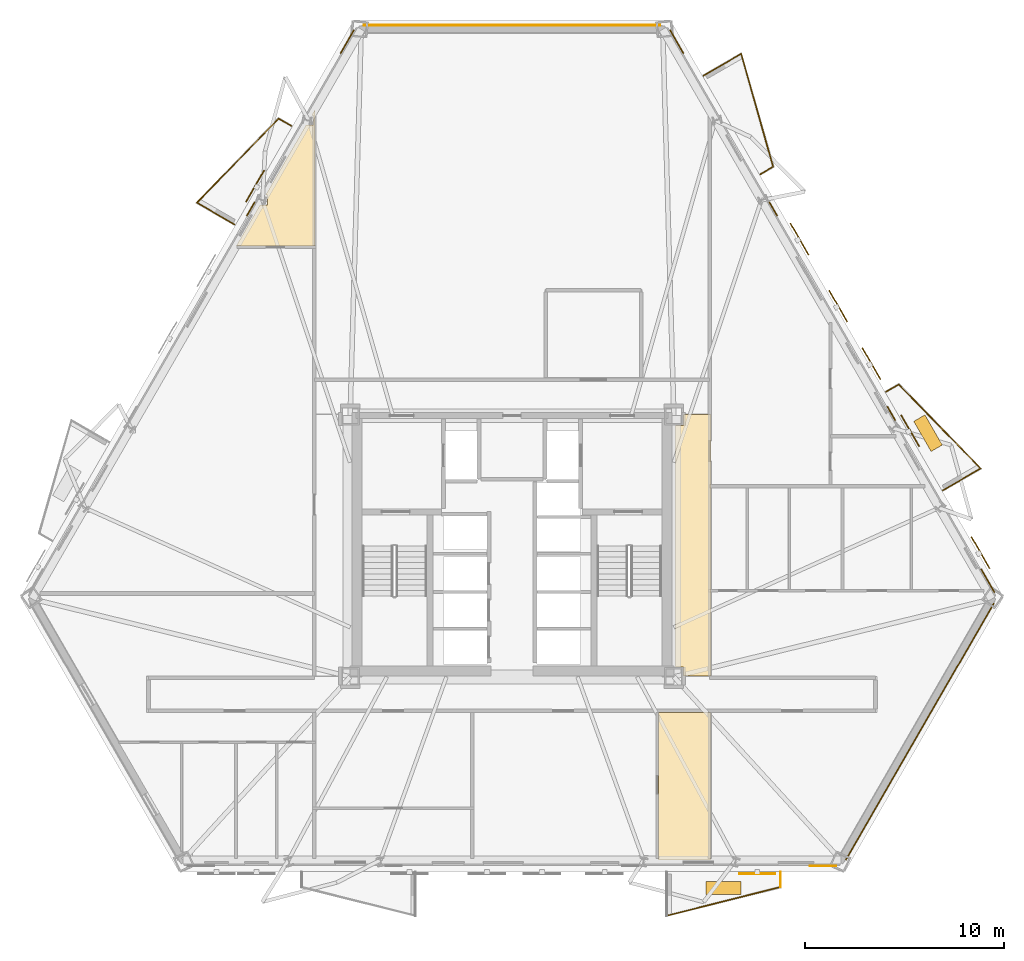
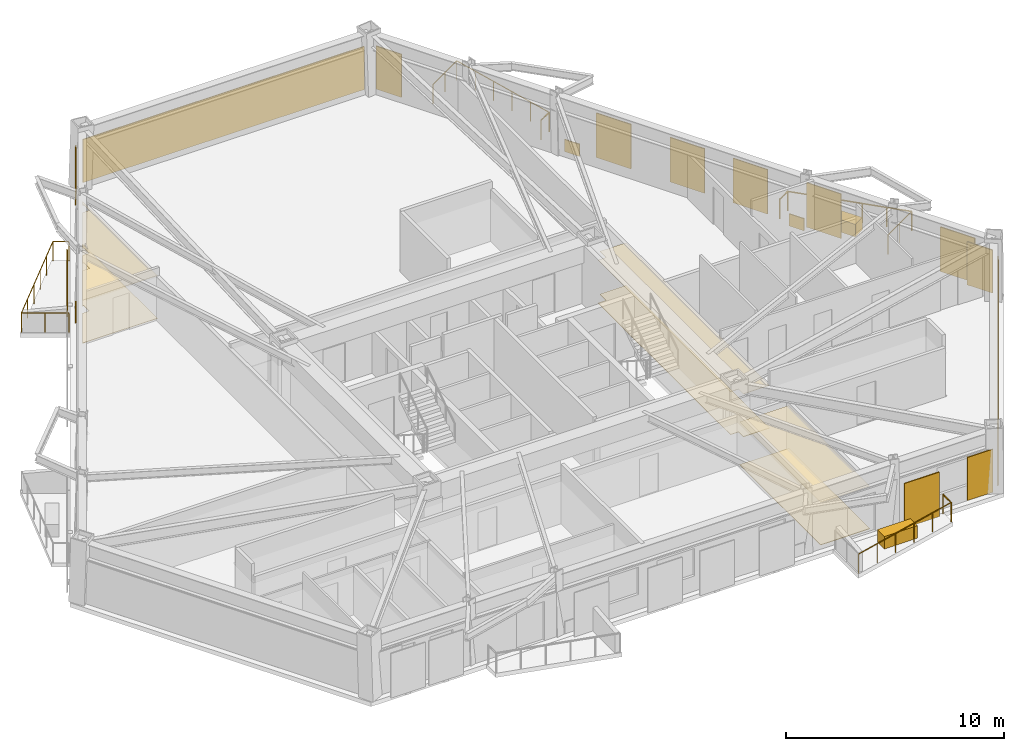
# One storey, part 13 of 13: 17 coverings, 11 railings, 7 shading devices.
"""IFC4 building model written with IfcOpenShell, lengths in metres."""

from ifc_helpers import new_model, si_unit, direction, frame, origin, origin_2d, place, context, subcontext, project, spatial, polyline, rectangle, circle, outline, extrude, material, layer, layer_set, type_object, element, save


model = new_model("IFC4")

# Units and contexts
model_context = context("Model", 3, precision=1e-05, world=origin(), true_north=direction((0.0, 1.0)))
body_context = subcontext(model_context, "Body", "Model", "MODEL_VIEW")
ifc_project = project(units=[si_unit("LENGTHUNIT", "METRE"), si_unit("AREAUNIT", "SQUARE_METRE"), si_unit("VOLUMEUNIT", "CUBIC_METRE"), si_unit("PLANEANGLEUNIT", "RADIAN"), si_unit("MASSUNIT", "GRAM", prefix="KILO")], contexts=[model_context])

# Site, building, storey
site_placement = place(None, origin())
site = spatial("IfcSite", under=ifc_project, at=site_placement, CompositionType="ELEMENT")
building_placement = place(site_placement, origin())
building = spatial("IfcBuilding", under=site, at=building_placement, Name="Oramaril Tower", CompositionType="ELEMENT")
storey_placement = place(building_placement, frame((0.0, 0.0, 38.10009765625)))
storey = spatial("IfcBuildingStorey", under=building, at=storey_placement, Name="L09", CompositionType="ELEMENT", Elevation=38.10009765625)

# Coverings
ifc_material_1 = material(Name="Mineral Fibre Acoustic Ceiling")
ifc_layer_1 = layer(ifc_material_1, 0.02001953125)
ifc_layer_set_1 = layer_set([ifc_layer_1], Name="CVT-CEIL")
covering_type_1 = type_object("IfcCoveringType", Name="CVT-CEIL", PredefinedType="CEILING", material=ifc_layer_set_1)
covering_1_placement = place(storey_placement, frame((0.0, 0.0, 2.39990234375)))
element("IfcCovering", 1, at=covering_1_placement, inside=storey, type_object=covering_type_1, Name="L09 Acoustic Suspended Ceiling 4", PredefinedType="CEILING", context=body_context, shape_type="SweptSolid", body=[
    extrude(outline(polyline([(47.530029296875, 11.050048828125), (46.14501953125, 11.050048828125), (46.14501953125, 11.4951171875), (45.719970703125, 11.4951171875), (45.719970703125, 23.655029296875), (46.14501953125, 23.655029296875), (46.14501953125, 24.219970703125), (47.530029296875, 24.219970703125), (47.530029296875, 11.050048828125)])), origin(), (0.0, 0.0, 1.0), 0.02001953125),
])
covering_2_placement = place(storey_placement, frame((0.0, 0.0, 2.39990234375)))
element("IfcCovering", 2, at=covering_2_placement, inside=storey, type_object=covering_type_1, Name="L09 Acoustic Suspended Ceiling 9", PredefinedType="CEILING", context=body_context, shape_type="SweptSolid", body=[
    extrude(outline(polyline([(47.491943359375, 1.78173828125), (44.883056640625, 1.78173828125), (44.883056640625, 9.199951171875), (47.491943359375, 9.199951171875), (47.491943359375, 1.78173828125)])), origin(), (0.0, 0.0, 1.0), 0.02001953125),
])
covering_3_placement = place(storey_placement, frame((0.0, 0.0, 2.39990234375)))
element("IfcCovering", 3, at=covering_3_placement, inside=storey, type_object=covering_type_1, Name="L09 Acoustic Suspended Ceiling 16", PredefinedType="CEILING", context=body_context, shape_type="SweptSolid", body=[
    extrude(outline(polyline([(24.812744140625, 34.76123046875), (25.18017578125, 34.76123046875), (25.18017578125, 35.26953125), (25.106201171875, 35.26953125), (27.131103515625, 38.776611328125), (27.498291015625, 38.776611328125), (27.498291015625, 39.273193359375), (27.417724609375, 39.273193359375), (27.592041015625, 39.5751953125), (27.592041015625, 32.69921875), (23.622314453125, 32.69921875), (24.812744140625, 34.76123046875)])), origin(), (0.0, 0.0, 1.0), 0.02001953125),
])
ifc_material_2 = material(Name="Warm Cream Limestone", Category="masonry")
ifc_layer_2 = layer(ifc_material_2, 0.050048828125)
ifc_layer_set_2 = layer_set([ifc_layer_2], Name="CVT-CLD")
covering_type_2 = type_object("IfcCoveringType", Name="CVT-CLD", PredefinedType="CLADDING", material=ifc_layer_set_2)
covering_4_placement = place(storey_placement, frame((53.160888671875, 1.480712890625, 0.039794921875), z_axis=(0.0, 0.0, 1.0), x_axis=(1.0, 0.0, 0.0)))
element("IfcCovering", 4, at=covering_4_placement, inside=storey, type_object=covering_type_2, Name="L09 Warm Cream Limestone Cladding", PredefinedType="CLADDING", context=body_context, shape_type="SweptSolid", body=[
    extrude(rectangle(XDim=1.35009765625, YDim=0.050048828125, at=origin_2d()), origin(), (0.0, 0.0, 1.0), 2.4140625),
])
covering_5_placement = place(storey_placement, frame((58.029052734375, 8.24755859375, 0.039794921875), z_axis=(0.0, 0.0, 1.0), x_axis=(0.499995465495, 0.866028021766, 0.0)))
element("IfcCovering", 5, at=covering_5_placement, inside=storey, type_object=covering_type_2, Name="L09 Warm Cream Limestone Cladding", PredefinedType="CLADDING", context=body_context, shape_type="SweptSolid", body=[
    extrude(rectangle(XDim=14.904052734375, YDim=0.050048828125, at=origin_2d()), origin(), (0.0, 0.0, 1.0), 2.4140625),
])
for number, where, z_axis, x_axis, name in (
    (6, (61.455078125, 15.8466796875, 0.039794921875), (0.0, 0.0, 1.0), (-0.4999984885, 0.866026276448, 0.0), "L09 Warm Cream Limestone Cladding"),
    (7, (45.794189453125, 42.972412109375, 0.039794921875), (0.0, 0.0, 1.0), (-0.4999984885, 0.866026276448, 0.0), "L09 Warm Cream Limestone Cladding"),
):
    element("IfcCovering", number, at=place(storey_placement, frame(where, z_axis=z_axis, x_axis=x_axis)), inside=storey, type_object=covering_type_2, Name=name, PredefinedType="CLADDING", context=body_context, shape_type="SweptSolid", body=[
        extrude(rectangle(XDim=1.35009765625, YDim=0.050048828125, at=origin_2d()), origin(), (0.0, 0.0, 1.0), 2.4140625),
    ])
for number, where, z_axis, x_axis, name in (
    (8, (56.5966796875, 24.261962890625, 0.0400390625), (0.0, 0.0, 1.0), (-0.4999984885, 0.866026276448, 0.0), "L09 Warm Cream Limestone Spandrel Cladding"),
    (9, (50.652587890625, 34.55712890625, 0.0400390625), (0.0, 0.0, 1.0), (-0.4999984885, 0.866026276448, 0.0), "L09 Warm Cream Limestone Spandrel Cladding"),
):
    element("IfcCovering", number, at=place(storey_placement, frame(where, z_axis=z_axis, x_axis=x_axis)), inside=storey, type_object=covering_type_2, Name=name, PredefinedType="CLADDING", context=body_context, shape_type="SweptSolid", body=[
        extrude(rectangle(XDim=0.800048828125, YDim=0.050048828125, at=origin_2d()), origin(), (0.0, 0.0, 1.0), 0.679931640625),
    ])
covering_6_placement = place(storey_placement, frame((37.5, 43.804931640625, 0.039794921875), z_axis=(0.0, 0.0, 1.0), x_axis=(-1.0, 0.0, 0.0)))
element("IfcCovering", 10, at=covering_6_placement, inside=storey, type_object=covering_type_2, Name="L09 Warm Cream Limestone Cladding", PredefinedType="CLADDING", context=body_context, shape_type="SweptSolid", body=[
    extrude(rectangle(XDim=14.904296875, YDim=0.050048828125, at=origin_2d()), origin(), (0.0, 0.0, 1.0), 2.4140625),
])
covering_7_placement = place(storey_placement, frame((29.205810546875, 42.972412109375, 0.039794921875), z_axis=(0.0, 0.0, 1.0), x_axis=(-0.4999984885, -0.866026276448, 0.0)))
element("IfcCovering", 11, at=covering_7_placement, inside=storey, type_object=covering_type_2, Name="L09 Warm Cream Limestone Cladding", PredefinedType="CLADDING", context=body_context, shape_type="SweptSolid", body=[
    extrude(rectangle(XDim=1.35009765625, YDim=0.050048828125, at=origin_2d()), origin(), (0.0, 0.0, 1.0), 2.4140625),
])
covering_8_placement = place(storey_placement, frame((24.347412109375, 34.55712890625, 0.0400390625), z_axis=(0.0, 0.0, 1.0), x_axis=(-0.4999984885, -0.866026276448, 0.0)))
element("IfcCovering", 12, at=covering_8_placement, inside=storey, type_object=covering_type_2, Name="L09 Warm Cream Limestone Spandrel Cladding", PredefinedType="CLADDING", context=body_context, shape_type="SweptSolid", body=[
    extrude(rectangle(XDim=0.800048828125, YDim=0.050048828125, at=origin_2d()), origin(), (0.0, 0.0, 1.0), 0.679931640625),
])
for number, where, z_axis, x_axis, name in (
    (13, (48.151611328125, 0.377197265625, 0.0), (0.0, 0.0, 1.0), (1.0, 0.0, 0.0), "L09 Structural Tree Planter Box L09-BAL-S2"),
    (14, (58.443603515625, 23.27001953125, 0.0), (0.0, 0.0, 1.0), (-0.4999984885, 0.866026276448, 0.0), "L09 Structural Tree Planter Box L09-BAL-NE1"),
):
    element("IfcCovering", number, at=place(storey_placement, frame(where, z_axis=z_axis, x_axis=x_axis)), inside=storey, type_object=covering_type_2, Name=name, PredefinedType="CLADDING", context=body_context, shape_type="SweptSolid", body=[
        extrude(rectangle(XDim=1.75, YDim=0.64990234375, at=origin_2d()), origin(), (0.0, 0.0, 1.0), 0.699951171875),
    ])
ifc_material_3 = material(Name="Honed Quartzite Stone Flooring", Category="masonry")
ifc_layer_3 = layer(ifc_material_3, 0.02490234375)
ifc_layer_set_3 = layer_set([ifc_layer_3], Name="CVT-FLR")
covering_type_3 = type_object("IfcCoveringType", Name="CVT-FLR", PredefinedType="FLOORING", material=ifc_layer_set_3)
covering_9_placement = place(storey_placement, origin())
element("IfcCovering", 15, at=covering_9_placement, inside=storey, type_object=covering_type_3, Name="L09 Honed Stone Floor Finish 4", PredefinedType="FLOORING", context=body_context, shape_type="SweptSolid", body=[
    extrude(outline(polyline([(47.530029296875, 11.050048828125), (46.14501953125, 11.050048828125), (46.14501953125, 11.4951171875), (45.719970703125, 11.4951171875), (45.719970703125, 23.655029296875), (46.14501953125, 23.655029296875), (46.14501953125, 24.219970703125), (47.530029296875, 24.219970703125), (47.530029296875, 11.050048828125)])), origin(), (0.0, 0.0, 1.0), 0.02490234375),
])
covering_10_placement = place(storey_placement, origin())
element("IfcCovering", 16, at=covering_10_placement, inside=storey, type_object=covering_type_3, Name="L09 Honed Stone Floor Finish 9", PredefinedType="FLOORING", context=body_context, shape_type="SweptSolid", body=[
    extrude(outline(polyline([(47.491943359375, 1.78173828125), (44.883056640625, 1.78173828125), (44.883056640625, 9.199951171875), (47.491943359375, 9.199951171875), (47.491943359375, 1.78173828125)])), origin(), (0.0, 0.0, 1.0), 0.02490234375),
])
covering_11_placement = place(storey_placement, origin())
element("IfcCovering", 17, at=covering_11_placement, inside=storey, type_object=covering_type_3, Name="L09 Honed Stone Floor Finish 16", PredefinedType="FLOORING", context=body_context, shape_type="SweptSolid", body=[
    extrude(outline(polyline([(24.812744140625, 34.76123046875), (25.18017578125, 34.76123046875), (25.18017578125, 35.26953125), (25.106201171875, 35.26953125), (27.131103515625, 38.776611328125), (27.498291015625, 38.776611328125), (27.498291015625, 39.273193359375), (27.417724609375, 39.273193359375), (27.592041015625, 39.5751953125), (27.592041015625, 32.69921875), (23.622314453125, 32.69921875), (24.812744140625, 34.76123046875)])), origin(), (0.0, 0.0, 1.0), 0.02490234375),
])

# Railings
ifc_material_4 = material(Name="Stainless Steel 316L", Category="steel")
railing_type = type_object("IfcRailingType", Name="RLT-GRD", PredefinedType="GUARDRAIL", material=ifc_material_4)
railing_1_placement = place(storey_placement, frame((51.0166015625, 1.165771484375, 0.0)))
element("IfcRailing", 18, at=railing_1_placement, inside=storey, type_object=railing_type, Name="L09 Balcony Guardrail L09-BAL-S2.1", PredefinedType="GUARDRAIL", context=body_context, shape_type="SweptSolid", body=[
    extrude(circle(Radius=0.02392578125, at=origin_2d()), frame((0.0, 0.0, 1.076171875), z_axis=(0.0, -1.0, 0.0), x_axis=(1.0, 0.0, 0.0)), (0.0, 0.0, 1.0), 0.741943359375),
    extrude(circle(Radius=0.02099609375, at=origin_2d()), origin(), (0.0, 0.0, 1.0), 1.052001953125),
    extrude(circle(Radius=0.02099609375, at=origin_2d()), frame((0.0, -0.741943359375, 0.0)), (0.0, 0.0, 1.0), 1.052001953125),
])
railing_2_placement = place(storey_placement, frame((51.0166015625, 0.423828125, 0.0)))
element("IfcRailing", 19, at=railing_2_placement, inside=storey, type_object=railing_type, Name="L09 Balcony Guardrail L09-BAL-S2.2", PredefinedType="GUARDRAIL", context=body_context, shape_type="SweptSolid", body=[
    extrude(circle(Radius=0.02392578125, at=origin_2d()), frame((0.0, 0.0, 1.076171875), z_axis=(-0.969443611257, -0.245314256807, 0.0), x_axis=(0.245314256807, -0.969443611257, 0.0)), (0.0, 0.0, 1.0), 5.91064453125),
    extrude(circle(Radius=0.02099609375, at=origin_2d()), origin(), (0.0, 0.0, 1.0), 1.052001953125),
    extrude(circle(Radius=0.02099609375, at=origin_2d()), frame((-1.14599609375, -0.2900390625, 0.0)), (0.0, 0.0, 1.0), 1.052001953125),
    extrude(circle(Radius=0.02099609375, at=origin_2d()), frame((-2.2919921875, -0.580078125, 0.0)), (0.0, 0.0, 1.0), 1.052001953125),
    extrude(circle(Radius=0.02099609375, at=origin_2d()), frame((-3.43798828125, -0.869873046875, 0.0)), (0.0, 0.0, 1.0), 1.052001953125),
    extrude(circle(Radius=0.02099609375, at=origin_2d()), frame((-4.583984375, -1.159912109375, 0.0)), (0.0, 0.0, 1.0), 1.052001953125),
    extrude(circle(Radius=0.02099609375, at=origin_2d()), frame((-5.72998046875, -1.449951171875, 0.0)), (0.0, 0.0, 1.0), 1.052001953125),
])
railing_3_placement = place(storey_placement, frame((56.328125, 25.35693359375, 0.0)))
element("IfcRailing", 20, at=railing_3_placement, inside=storey, type_object=railing_type, Name="L09 Balcony Guardrail L09-BAL-NE1.1", PredefinedType="GUARDRAIL", context=body_context, shape_type="SweptSolid", body=[
    extrude(circle(Radius=0.02392578125, at=origin_2d()), frame((0.0, 0.0, 1.076171875), z_axis=(0.866108878364, 0.499855389907, 0.0), x_axis=(-0.499855389907, 0.866108878364, 0.0)), (0.0, 0.0, 1.0), 0.741943359375),
    extrude(circle(Radius=0.02099609375, at=origin_2d()), origin(), (0.0, 0.0, 1.0), 1.052001953125),
    extrude(circle(Radius=0.02099609375, at=origin_2d()), frame((0.642578125, 0.370849609375, 0.0)), (0.0, 0.0, 1.0), 1.052001953125),
])
railing_4_placement = place(storey_placement, frame((56.970703125, 25.727783203125, 0.0)))
element("IfcRailing", 21, at=railing_4_placement, inside=storey, type_object=railing_type, Name="L09 Balcony Guardrail L09-BAL-NE1.2", PredefinedType="GUARDRAIL", context=body_context, shape_type="SweptSolid", body=[
    extrude(circle(Radius=0.02392578125, at=origin_2d()), frame((0.0, 0.0, 1.076171875), z_axis=(0.697186915353, -0.716889395277, 0.0), x_axis=(0.716889395277, 0.697186915353, 0.0)), (0.0, 0.0, 1.0), 5.91064453125),
    extrude(circle(Radius=0.02099609375, at=origin_2d()), origin(), (0.0, 0.0, 1.0), 1.052001953125),
    extrude(circle(Radius=0.02099609375, at=origin_2d()), frame((0.82421875, -0.847412109375, 0.0)), (0.0, 0.0, 1.0), 1.052001953125),
    extrude(circle(Radius=0.02099609375, at=origin_2d()), frame((1.6484375, -1.69482421875, 0.0)), (0.0, 0.0, 1.0), 1.052001953125),
    extrude(circle(Radius=0.02099609375, at=origin_2d()), frame((2.472412109375, -2.54248046875, 0.0)), (0.0, 0.0, 1.0), 1.052001953125),
    extrude(circle(Radius=0.02099609375, at=origin_2d()), frame((3.296630859375, -3.389892578125, 0.0)), (0.0, 0.0, 1.0), 1.052001953125),
    extrude(circle(Radius=0.02099609375, at=origin_2d()), frame((4.120849609375, -4.2373046875, 0.0)), (0.0, 0.0, 1.0), 1.052001953125),
])
railing_5_placement = place(storey_placement, frame((61.091552734375, 21.490478515625, 0.0)))
element("IfcRailing", 22, at=railing_5_placement, inside=storey, type_object=railing_type, Name="L09 Balcony Guardrail L09-BAL-NE1.3", PredefinedType="GUARDRAIL", context=body_context, shape_type="SweptSolid", body=[
    extrude(circle(Radius=0.02392578125, at=origin_2d()), frame((0.0, 0.0, 1.076171875), z_axis=(-0.866048343933, -0.499960264392, 0.0), x_axis=(0.499960264392, -0.866048343933, 0.0)), (0.0, 0.0, 1.0), 2.192138671875),
    extrude(circle(Radius=0.02099609375, at=origin_2d()), origin(), (0.0, 0.0, 1.0), 1.052001953125),
    extrude(circle(Radius=0.02099609375, at=origin_2d()), frame((-0.94921875, -0.5478515625, 0.0)), (0.0, 0.0, 1.0), 1.052001953125),
    extrude(circle(Radius=0.02099609375, at=origin_2d()), frame((-1.8984375, -1.095947265625, 0.0)), (0.0, 0.0, 1.0), 1.052001953125),
])
railing_6_placement = place(storey_placement, frame((47.139404296875, 41.272705078125, 0.0)))
element("IfcRailing", 23, at=railing_6_placement, inside=storey, type_object=railing_type, Name="L09 Balcony Guardrail L09-BAL-NE2.1", PredefinedType="GUARDRAIL", context=body_context, shape_type="SweptSolid", body=[
    extrude(circle(Radius=0.02392578125, at=origin_2d()), frame((0.0, 0.0, 1.076171875), z_axis=(0.866020500697, 0.5000084923, 0.0), x_axis=(-0.5000084923, 0.866020500697, 0.0)), (0.0, 0.0, 1.0), 2.19189453125),
    extrude(circle(Radius=0.02099609375, at=origin_2d()), origin(), (0.0, 0.0, 1.0), 1.052001953125),
    extrude(circle(Radius=0.02099609375, at=origin_2d()), frame((0.94921875, 0.5478515625, 0.0)), (0.0, 0.0, 1.0), 1.052001953125),
    extrude(circle(Radius=0.02099609375, at=origin_2d()), frame((1.898193359375, 1.095947265625, 0.0)), (0.0, 0.0, 1.0), 1.052001953125),
])
railing_7_placement = place(storey_placement, frame((49.03759765625, 42.36865234375, 0.0)))
element("IfcRailing", 24, at=railing_7_placement, inside=storey, type_object=railing_type, Name="L09 Balcony Guardrail L09-BAL-NE2.2", PredefinedType="GUARDRAIL", context=body_context, shape_type="SweptSolid", body=[
    extrude(circle(Radius=0.02392578125, at=origin_2d()), frame((0.0, 0.0, 1.076171875), z_axis=(0.27224886544, -0.962226873074, 0.0), x_axis=(0.962226873074, 0.27224886544, 0.0)), (0.0, 0.0, 1.0), 5.910400390625),
    extrude(circle(Radius=0.02099609375, at=origin_2d()), origin(), (0.0, 0.0, 1.0), 1.052001953125),
    extrude(circle(Radius=0.02099609375, at=origin_2d()), frame((0.32177734375, -1.137451171875, 0.0)), (0.0, 0.0, 1.0), 1.052001953125),
    extrude(circle(Radius=0.02099609375, at=origin_2d()), frame((0.6435546875, -2.27490234375, 0.0)), (0.0, 0.0, 1.0), 1.052001953125),
    extrude(circle(Radius=0.02099609375, at=origin_2d()), frame((0.965576171875, -3.412353515625, 0.0)), (0.0, 0.0, 1.0), 1.052001953125),
    extrude(circle(Radius=0.02099609375, at=origin_2d()), frame((1.287353515625, -4.5498046875, 0.0)), (0.0, 0.0, 1.0), 1.052001953125),
    extrude(circle(Radius=0.02099609375, at=origin_2d()), frame((1.609130859375, -5.687255859375, 0.0)), (0.0, 0.0, 1.0), 1.052001953125),
])
railing_8_placement = place(storey_placement, frame((50.646728515625, 36.681396484375, 0.0)))
element("IfcRailing", 25, at=railing_8_placement, inside=storey, type_object=railing_type, Name="L09 Balcony Guardrail L09-BAL-NE2.3", PredefinedType="GUARDRAIL", context=body_context, shape_type="SweptSolid", body=[
    extrude(circle(Radius=0.02392578125, at=origin_2d()), frame((0.0, 0.0, 1.076171875), z_axis=(-0.865884080729, -0.500244698863, 0.0), x_axis=(0.500244698863, -0.865884080729, 0.0)), (0.0, 0.0, 1.0), 0.741943359375),
    extrude(circle(Radius=0.02099609375, at=origin_2d()), origin(), (0.0, 0.0, 1.0), 1.052001953125),
    extrude(circle(Radius=0.02099609375, at=origin_2d()), frame((-0.642333984375, -0.37109375, 0.0)), (0.0, 0.0, 1.0), 1.052001953125),
])
railing_9_placement = place(storey_placement, frame((23.533203125, 33.777099609375, 0.0)))
element("IfcRailing", 26, at=railing_9_placement, inside=storey, type_object=railing_type, Name="L09 Balcony Guardrail L09-BAL-NW1.1", PredefinedType="GUARDRAIL", context=body_context, shape_type="SweptSolid", body=[
    extrude(circle(Radius=0.02392578125, at=origin_2d()), frame((0.0, 0.0, 1.076171875), z_axis=(-0.865972267571, 0.50009202333, 0.0), x_axis=(-0.50009202333, -0.865972267571, 0.0)), (0.0, 0.0, 1.0), 2.19189453125),
    extrude(circle(Radius=0.02099609375, at=origin_2d()), origin(), (0.0, 0.0, 1.0), 1.052001953125),
    extrude(circle(Radius=0.02099609375, at=origin_2d()), frame((-0.94921875, 0.548095703125, 0.0)), (0.0, 0.0, 1.0), 1.052001953125),
    extrude(circle(Radius=0.02099609375, at=origin_2d()), frame((-1.898193359375, 1.09619140625, 0.0)), (0.0, 0.0, 1.0), 1.052001953125),
])
railing_10_placement = place(storey_placement, frame((21.635009765625, 34.873291015625, 0.0)))
element("IfcRailing", 27, at=railing_10_placement, inside=storey, type_object=railing_type, Name="L09 Balcony Guardrail L09-BAL-NW1.2", PredefinedType="GUARDRAIL", context=body_context, shape_type="SweptSolid", body=[
    extrude(circle(Radius=0.02392578125, at=origin_2d()), frame((0.0, 0.0, 1.076171875), z_axis=(0.697165686546, 0.716910040034, 0.0), x_axis=(-0.716910040034, 0.697165686546, 0.0)), (0.0, 0.0, 1.0), 5.910400390625),
    extrude(circle(Radius=0.02099609375, at=origin_2d()), origin(), (0.0, 0.0, 1.0), 1.052001953125),
    extrude(circle(Radius=0.02099609375, at=origin_2d()), frame((0.82421875, 0.847412109375, 0.0)), (0.0, 0.0, 1.0), 1.052001953125),
    extrude(circle(Radius=0.02099609375, at=origin_2d()), frame((1.648193359375, 1.69482421875, 0.0)), (0.0, 0.0, 1.0), 1.052001953125),
    extrude(circle(Radius=0.02099609375, at=origin_2d()), frame((2.472412109375, 2.54248046875, 0.0)), (0.0, 0.0, 1.0), 1.052001953125),
    extrude(circle(Radius=0.02099609375, at=origin_2d()), frame((3.29638671875, 3.389892578125, 0.0)), (0.0, 0.0, 1.0), 1.052001953125),
    extrude(circle(Radius=0.02099609375, at=origin_2d()), frame((4.12060546875, 4.2373046875, 0.0)), (0.0, 0.0, 1.0), 1.052001953125),
])
railing_11_placement = place(storey_placement, frame((25.755615234375, 39.110595703125, 0.0)))
element("IfcRailing", 28, at=railing_11_placement, inside=storey, type_object=railing_type, Name="L09 Balcony Guardrail L09-BAL-NW1.3", PredefinedType="GUARDRAIL", context=body_context, shape_type="SweptSolid", body=[
    extrude(circle(Radius=0.02392578125, at=origin_2d()), frame((0.0, 0.0, 1.076171875), z_axis=(0.865966403178, -0.500102178127, 0.0), x_axis=(0.500102178127, 0.865966403178, 0.0)), (0.0, 0.0, 1.0), 0.741943359375),
    extrude(circle(Radius=0.02099609375, at=origin_2d()), origin(), (0.0, 0.0, 1.0), 1.052001953125),
    extrude(circle(Radius=0.02099609375, at=origin_2d()), frame((0.642578125, -0.37109375, 0.0)), (0.0, 0.0, 1.0), 1.052001953125),
])

# Shading devices
for number, where, z_axis, x_axis, name in (
    (29, (49.84521484375, 1.09375, -0.02001953125), (0.0, 0.0, 1.0), (1.0, 0.0, 0.0), "L09 Perforated Ceramic Solar Screen"),
    (30, (61.086669921875, 17.259033203125, -0.02001953125), (0.0, 0.0, 1.0), (-0.4999984885, 0.866026276448, 0.0), "L09 Perforated Ceramic Solar Screen"),
    (31, (53.92431640625, 29.664794921875, -0.02001953125), (0.0, 0.0, 1.0), (-0.4999984885, 0.866026276448, 0.0), "L09 Perforated Ceramic Solar Screen"),
    (32, (51.97412109375, 33.042236328125, -0.02001953125), (0.0, 0.0, 1.0), (-0.4999984885, 0.866026276448, 0.0), "L09 Perforated Ceramic Solar Screen"),
    (33, (57.544189453125, 23.394775390625, -0.02001953125), (0.0, 0.0, 1.0), (-0.4999984885, 0.866026276448, 0.0), "L09 Perforated Ceramic Solar Screen"),
    (34, (55.59423828125, 26.772216796875, -0.02001953125), (0.0, 0.0, 1.0), (-0.4999984885, 0.866026276448, 0.0), "L09 Perforated Ceramic Solar Screen"),
    (35, (24.56640625, 35.710693359375, -0.02001953125), (0.0, 0.0, 1.0), (-0.4999984885, -0.866026276448, 0.0), "L09 Perforated Ceramic Solar Screen"),
):
    element("IfcShadingDevice", number, at=place(storey_placement, frame(where, z_axis=z_axis, x_axis=x_axis)), inside=storey, Name=name, ObjectType="SCREEN", PredefinedType="USERDEFINED", context=body_context, shape_type="SweptSolid", body=[
        extrude(rectangle(XDim=1.8330078125, YDim=0.050048828125, at=origin_2d()), origin(), (0.0, 0.0, 1.0), 2.493896484375),
    ])

save(model, "model.ifc")
